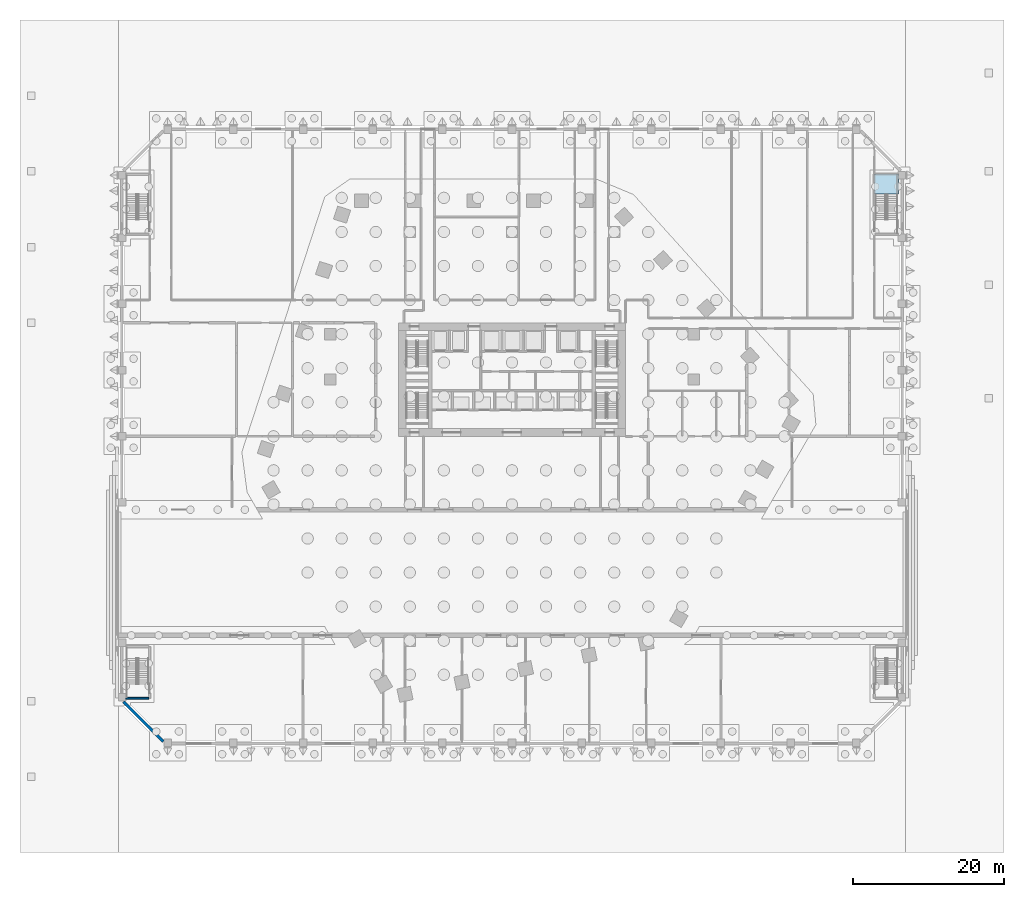
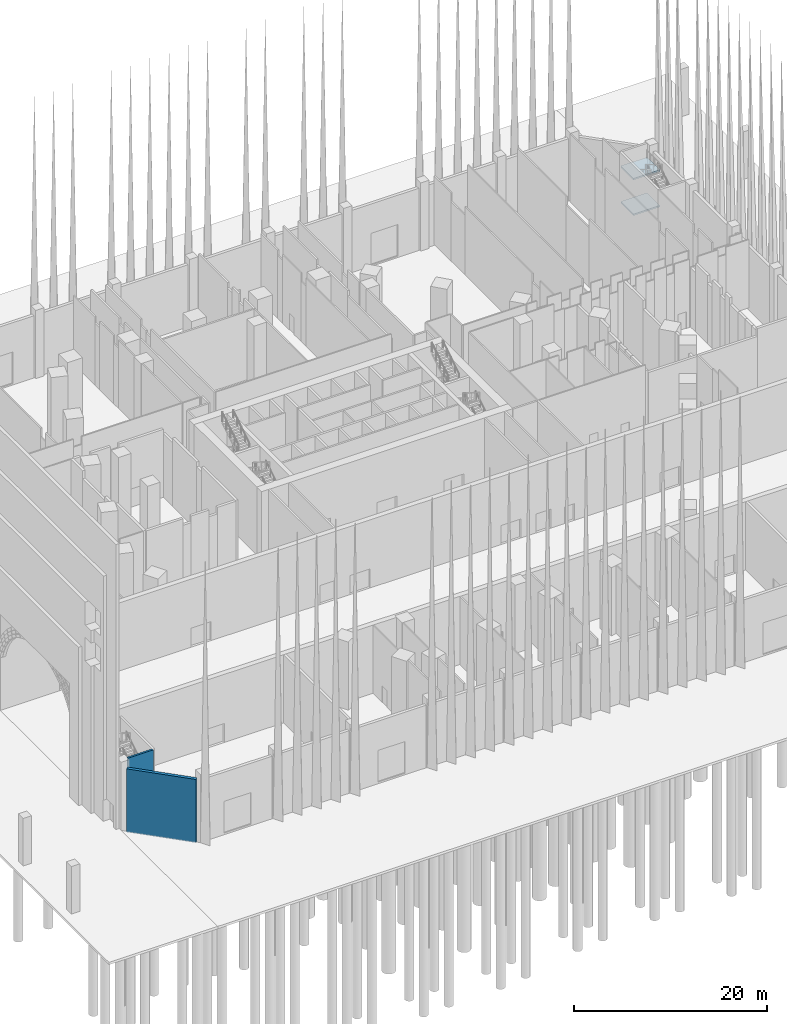
# One storey, part 7 of 32: 2 slabs, 2 walls, 1 element without a shape of its own.
"""IFC4 building model written with IfcOpenShell, lengths in metres."""

from ifc_helpers import new_model, si_unit, direction, frame, frame_2d, origin, place, context, subcontext, project, spatial, polyline, rectangle, outline, extrude, material, layer, layer_set, type_object, element, aggregate, save


model = new_model("IFC4")

# Units and contexts
model_context = context("Model", 3, precision=1e-05, world=origin(), true_north=direction((0.0, 1.0)))
body_context = subcontext(model_context, "Body", "Model", "MODEL_VIEW")
ifc_project = project(units=[si_unit("LENGTHUNIT", "METRE"), si_unit("AREAUNIT", "SQUARE_METRE"), si_unit("VOLUMEUNIT", "CUBIC_METRE"), si_unit("PLANEANGLEUNIT", "RADIAN"), si_unit("MASSUNIT", "GRAM", prefix="KILO")], contexts=[model_context])

# Site, building, storey
site_placement = place(None, origin())
site = spatial("IfcSite", under=ifc_project, at=site_placement, CompositionType="ELEMENT")
building_placement = place(site_placement, origin())
building = spatial("IfcBuilding", under=site, at=building_placement, Name="Isthmus Gate Tower", CompositionType="ELEMENT")
storey_placement = place(building_placement, origin())
storey = spatial("IfcBuildingStorey", under=building, at=storey_placement, Name="L00", CompositionType="ELEMENT", Elevation=0.0)

# Stair, slabs
ifc_material_1 = material(Name="Concrete f'c 40 MPa", Category="concrete")
stair_type = type_object("IfcStairType", Name="Podium exit stair 1400 wide flights", PredefinedType="HALF_TURN_STAIR", material=ifc_material_1)
stair_placement = place(storey_placement, origin())
stair = element("IfcStair", 1, at=stair_placement, inside=storey, type_object=stair_type, Name="L00 Podium Exit Stair ST5", PredefinedType="HALF_TURN_STAIR")
ifc_material_2 = material(Name="Concrete f'c 40 MPa", Category="concrete")
ifc_layer_1 = layer(ifc_material_2, 0.199951171875)
ifc_layer_set_1 = layer_set([ifc_layer_1], Name="Podium stair landing 200")
slab_type = type_object("IfcSlabType", Name="Podium stair landing 200", PredefinedType="LANDING", material=ifc_layer_set_1)
slab_1_placement = place(storey_placement, frame((0.0, 0.0, 2.050048828125)))
slab_1 = element("IfcSlab", 2, at=slab_1_placement, type_object=slab_type, Name="ST5 landing 1", PredefinedType="LANDING", context=body_context, shape_type="SweptSolid", body=[
    extrude(outline(polyline([(51.050048828125, 31.985107421875), (51.050048828125, 34.625), (47.89990234375, 34.625), (47.89990234375, 31.985107421875), (51.050048828125, 31.985107421875)])), origin(), (0.0, 0.0, 1.0), 0.199951171875),
])
slab_2_placement = place(storey_placement, frame((0.0, 0.0, 6.550048828125)))
slab_2 = element("IfcSlab", 3, at=slab_2_placement, type_object=slab_type, Name="ST5 landing 3", PredefinedType="LANDING", context=body_context, shape_type="SweptSolid", body=[
    extrude(outline(polyline([(51.050048828125, 31.985107421875), (51.050048828125, 34.625), (47.89990234375, 34.625), (47.89990234375, 31.985107421875), (51.050048828125, 31.985107421875)])), origin(), (0.0, 0.0, 1.0), 0.199951171875),
])
aggregate(stair, [slab_1, slab_2])

# Walls
ifc_material_3 = material(Name="Precast concrete C40/50, limestone-faced", Category="masonry")
ifc_layer_2 = layer(ifc_material_3, 0.35009765625)
ifc_layer_set_2 = layer_set([ifc_layer_2], Name="PODIUM CLADDING WALL 350")
wall_type_1 = type_object("IfcWallType", Name="PODIUM CLADDING WALL 350", PredefinedType="SOLIDWALL", material=ifc_layer_set_2)
wall_1_placement = place(storey_placement, frame((-51.327392578125, -35.071533203125, -0.300048828125), z_axis=(0.0, 0.0, 1.0), x_axis=(0.707106781187, -0.707106781187, 0.0)))
element("IfcWall", 4, at=wall_1_placement, inside=storey, type_object=wall_type_1, Name="PODIUM WALL", PredefinedType="SOLIDWALL", context=body_context, shape_type="SweptSolid", body=[
    extrude(rectangle(XDim=7.432861328125, YDim=0.35009765625, at=frame_2d((3.71630859375, 0.0))), origin(), (0.0, 0.0, 1.0), 8.0),
])
ifc_material_4 = material(Name="Concrete f'c 40 MPa", Category="concrete")
ifc_layer_3 = layer(ifc_material_4, 0.25)
ifc_layer_set_3 = layer_set([ifc_layer_3])
wall_type_2 = type_object("IfcWallType", Name="Stair shaft wall 250 reinforced concrete", PredefinedType="SHEAR", material=ifc_layer_set_3)
wall_2_placement = place(storey_placement, frame((-51.0, -34.60009765625, 0.0), z_axis=(0.0, 0.0, 1.0), x_axis=(1.0, 0.0, 0.0)))
element("IfcWall", 5, at=wall_2_placement, inside=storey, type_object=wall_type_2, Name="Stair shaft wall", PredefinedType="SHEAR", context=body_context, shape_type="SweptSolid", body=[
    extrude(rectangle(XDim=3.0, YDim=0.25, at=frame_2d((1.5, 0.0))), origin(), (0.0, 0.0, 1.0), 8.60009765625),
])

save(model, "model.ifc")
